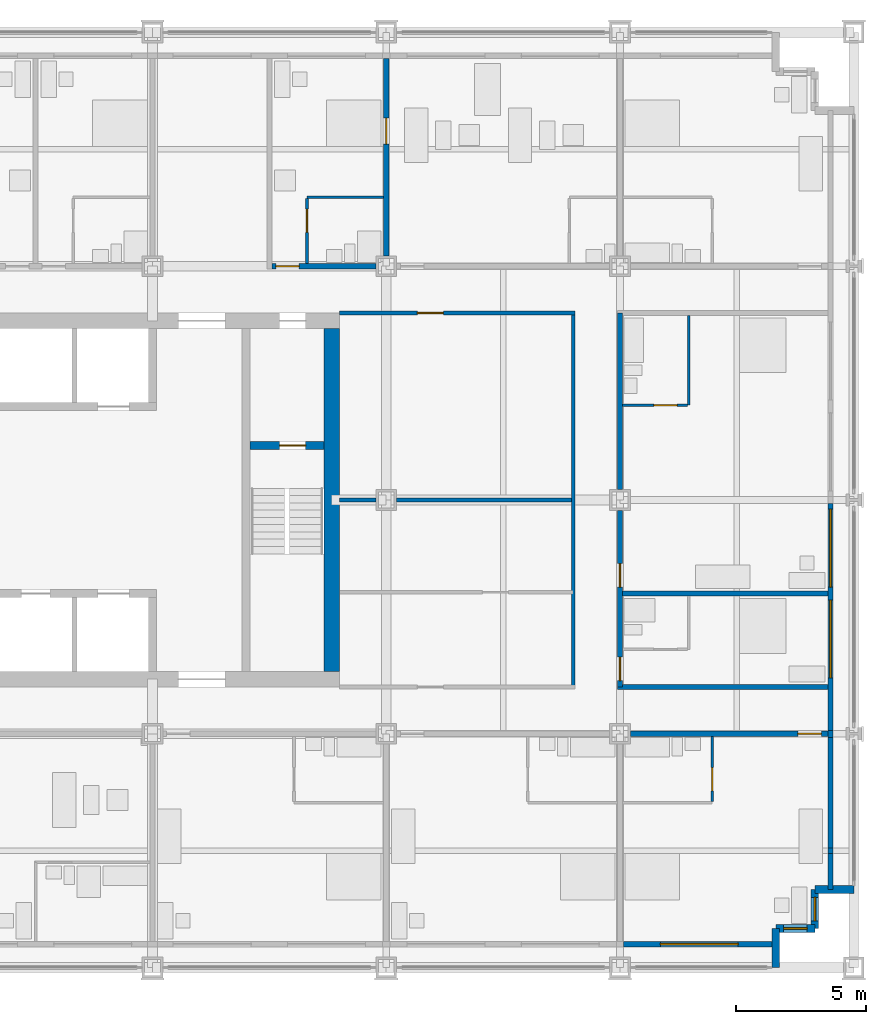
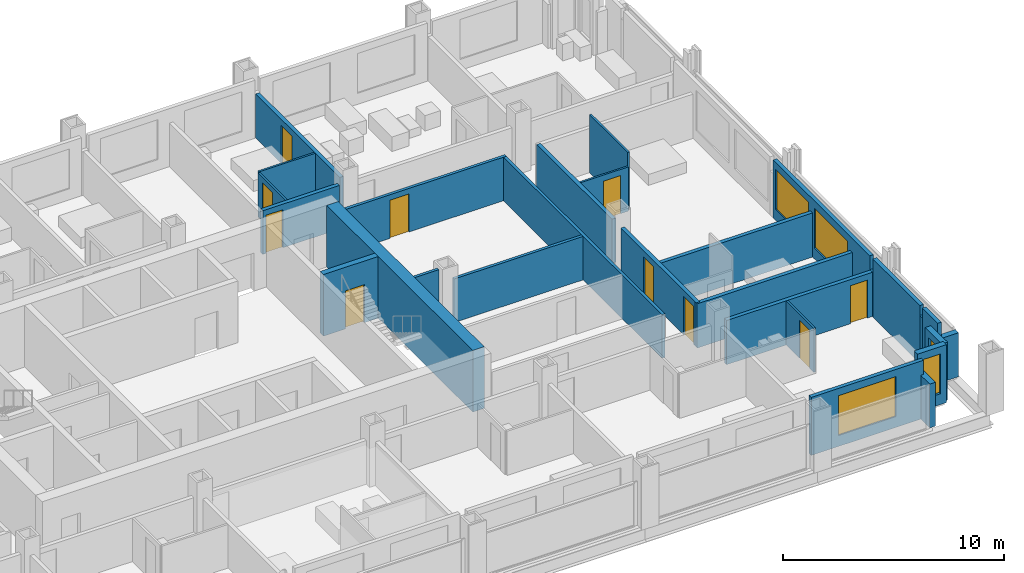
# One storey, part 13 of 18: 28 walls, 10 doors, 5 windows, 15 openings.
"""IFC4 building model written with IfcOpenShell, lengths in metres."""

from ifc_helpers import new_model, si_unit, direction, frame, frame_2d, origin, place, context, subcontext, project, spatial, rectangle, extrude, material, layer, layer_set, type_object, element, fill, save


model = new_model("IFC4")

# Units and contexts
model_context = context("Model", 3, precision=1e-05, world=origin(), true_north=direction((0.0, 1.0)))
body_context = subcontext(model_context, "Body", "Model", "MODEL_VIEW")
ifc_project = project(units=[si_unit("LENGTHUNIT", "METRE"), si_unit("AREAUNIT", "SQUARE_METRE"), si_unit("VOLUMEUNIT", "CUBIC_METRE"), si_unit("PLANEANGLEUNIT", "RADIAN"), si_unit("MASSUNIT", "GRAM", prefix="KILO")], contexts=[model_context])

# Site, building, storey
site_placement = place(None, origin())
site = spatial("IfcSite", under=ifc_project, at=site_placement, CompositionType="ELEMENT")
building_placement = place(site_placement, origin())
building = spatial("IfcBuilding", under=site, at=building_placement, Name="Loomwork Tower", CompositionType="ELEMENT")
storey_placement = place(building_placement, frame((0.0, 0.0, 48.39990234375)))
storey = spatial("IfcBuildingStorey", under=building, at=storey_placement, Name="L11", CompositionType="ELEMENT", Elevation=48.39990234375)

# Wall, opening, door
ifc_material_1 = material(Name="Concrete 14000 psi (97 MPa)", Category="concrete")
ifc_layer_1 = layer(ifc_material_1, 0.300048828125)
ifc_layer_set_1 = layer_set([ifc_layer_1], Name="Core shear wall 300")
wall_type_1 = type_object("IfcWallType", Name="Core shear wall 300", PredefinedType="SHEAR", material=ifc_layer_set_1)
wall_1_placement = place(storey_placement, frame((30.75, 20.10009765625, 0.0), z_axis=(0.0, 0.0, 1.0), x_axis=(1.0, 0.0, 0.0)))
wall_1 = element("IfcWall", 1, at=wall_1_placement, inside=storey, type_object=wall_type_1, Name="Stair B north wall L11", PredefinedType="SHEAR", context=body_context, shape_type="SweptSolid", body=[
    extrude(rectangle(XDim=2.85009765625, YDim=0.300048828125, at=frame_2d((1.425048828125, 0.0))), origin(), (0.0, 0.0, 1.0), 3.400146484375),
])
opening_1_placement = place(wall_1_placement, frame((1.14990234375, 0.0, 0.0)))
opening_1 = element("IfcOpeningElement", 2, at=opening_1_placement, cuts=wall_1, Name="Opening D4", PredefinedType="OPENING", context=body_context, shape_type="SweptSolid", body=[
    extrude(rectangle(XDim=1.0, YDim=2.10009765625, at=frame_2d((0.5, 1.050048828125))), frame((0.0, 0.159912109375, 0.0), z_axis=(0.0, -1.0, 0.0), x_axis=(1.0, 0.0, 0.0)), (0.0, 0.0, 1.0), 0.320068359375),
])
ifc_material_2 = material(Name="Hollow metal door and frame")
door_type_1 = type_object("IfcDoorType", Name="Stair door 1000", OperationType="SINGLE_SWING_RIGHT", PredefinedType="DOOR", material=ifc_material_2)
door_1_placement = place(opening_1_placement, frame((1.0, 0.0, 0.0), z_axis=(0.0, 0.0, 1.0), x_axis=(-1.0, 0.0, 0.0)))
door_1 = element("IfcDoor", 3, at=door_1_placement, inside=storey, type_object=door_type_1, Name="Stair B door", OperationType="SINGLE_SWING_LEFT", OverallHeight=2.10009765625, OverallWidth=1.0, PredefinedType="DOOR", context=body_context, shape_type="SweptSolid", body=[
    extrude(rectangle(XDim=1.0, YDim=2.10009765625, at=frame_2d((0.5, 1.050048828125))), frame((0.0, 0.02490234375, 0.0), z_axis=(0.0, -1.0, 0.0), x_axis=(1.0, 0.0, 0.0)), (0.0, 0.0, 1.0), 0.050048828125),
])
fill(opening_1, door_1)

# Wall
ifc_material_3 = material(Name="Concrete 14000 psi (97 MPa)", Category="concrete")
ifc_layer_2 = layer(ifc_material_3, 0.60009765625)
ifc_layer_set_2 = layer_set([ifc_layer_2], Name="Core shear wall 600")
wall_type_2 = type_object("IfcWallType", Name="Core shear wall 600", PredefinedType="SHEAR", material=ifc_layer_set_2)
wall_2_placement = place(storey_placement, frame((33.89990234375, 11.39990234375, 0.0), z_axis=(0.0, 0.0, 1.0), x_axis=(0.0, 1.0, 0.0)))
element("IfcWall", 4, at=wall_2_placement, inside=storey, type_object=wall_type_2, Name="Core wall east L11", PredefinedType="SHEAR", context=body_context, shape_type="SweptSolid", body=[
    extrude(rectangle(XDim=13.2001953125, YDim=0.60009765625, at=frame_2d((6.60009765625, 0.0))), origin(), (0.0, 0.0, 1.0), 3.400146484375),
])

# Wall, opening, door
ifc_material_4 = material(Name="Gypsum board on steel studs, one-hour", Category="steel")
ifc_layer_3 = layer(ifc_material_4, 0.199951171875)
ifc_layer_set_3 = layer_set([ifc_layer_3], Name="Corridor wall 200")
wall_type_3 = type_object("IfcWallType", Name="Corridor wall 200", PredefinedType="PARTITIONING", material=ifc_layer_set_3)
wall_3_placement = place(storey_placement, frame((45.39990234375, 9.0, 0.0), z_axis=(0.0, 0.0, 1.0), x_axis=(1.0, 0.0, 0.0)))
wall_3 = element("IfcWall", 5, at=wall_3_placement, inside=storey, type_object=wall_type_3, Name="South corridor wall 6", PredefinedType="PARTITIONING", context=body_context, shape_type="SweptSolid", body=[
    extrude(rectangle(XDim=7.60009765625, YDim=0.199951171875, at=frame_2d((3.800048828125, 0.0))), origin(), (0.0, 0.0, 1.0), 2.43798828125),
])
opening_2_placement = place(wall_3_placement, frame((6.449951171875, 0.0, 0.0)))
opening_2 = element("IfcOpeningElement", 6, at=opening_2_placement, cuts=wall_3, Name="Opening D1", PredefinedType="OPENING", context=body_context, shape_type="SweptSolid", body=[
    extrude(rectangle(XDim=0.89990234375, YDim=2.10009765625, at=frame_2d((0.449951171875, 1.050048828125))), frame((0.0, 0.10986328125, 0.0), z_axis=(0.0, -1.0, 0.0), x_axis=(1.0, 0.0, 0.0)), (0.0, 0.0, 1.0), 0.219970703125),
])
ifc_material_5 = material(Name="Hollow metal door and frame")
door_type_2 = type_object("IfcDoorType", Name="Guest room entry door 900", OperationType="SINGLE_SWING_LEFT", PredefinedType="DOOR", material=ifc_material_5)
door_2_placement = place(opening_2_placement, frame((0.89990234375, 0.0, 0.0), z_axis=(0.0, 0.0, 1.0), x_axis=(-1.0, 0.0, 0.0)))
door_2 = element("IfcDoor", 7, at=door_2_placement, inside=storey, type_object=door_type_2, Name="Guest room entry door L11 6", OperationType="SINGLE_SWING_LEFT", OverallHeight=2.10009765625, OverallWidth=0.89990234375, PredefinedType="DOOR", context=body_context, shape_type="SweptSolid", body=[
    extrude(rectangle(XDim=0.89990234375, YDim=2.10009765625, at=frame_2d((0.449951171875, 1.050048828125))), frame((0.0, 0.02490234375, 0.0), z_axis=(0.0, -1.0, 0.0), x_axis=(1.0, 0.0, 0.0)), (0.0, 0.0, 1.0), 0.050048828125),
])
fill(opening_2, door_2)

wall_4_placement = place(storey_placement, frame((31.60009765625, 27.0, 0.0), z_axis=(0.0, 0.0, 1.0), x_axis=(1.0, 0.0, 0.0)))
wall_4 = element("IfcWall", 8, at=wall_4_placement, inside=storey, type_object=wall_type_3, Name="North corridor wall 4", PredefinedType="PARTITIONING", context=body_context, shape_type="SweptSolid", body=[
    extrude(rectangle(XDim=4.0, YDim=0.199951171875, at=frame_2d((2.0, 0.0))), origin(), (0.0, 0.0, 1.0), 2.405029296875),
])
opening_3_placement = place(wall_4_placement, frame((0.14990234375, 0.0, 0.0)))
opening_3 = element("IfcOpeningElement", 9, at=opening_3_placement, cuts=wall_4, Name="Opening D1", PredefinedType="OPENING", context=body_context, shape_type="SweptSolid", body=[
    extrude(rectangle(XDim=0.89990234375, YDim=2.10009765625, at=frame_2d((0.449951171875, 1.050048828125))), frame((0.0, 0.10986328125, 0.0), z_axis=(0.0, -1.0, 0.0), x_axis=(1.0, 0.0, 0.0)), (0.0, 0.0, 1.0), 0.219970703125),
])
door_3_placement = place(opening_3_placement, origin())
door_3 = element("IfcDoor", 10, at=door_3_placement, inside=storey, type_object=door_type_2, Name="Guest room entry door L11 11", OperationType="SINGLE_SWING_LEFT", OverallHeight=2.10009765625, OverallWidth=0.89990234375, PredefinedType="DOOR", context=body_context, shape_type="SweptSolid", body=[
    extrude(rectangle(XDim=0.89990234375, YDim=2.10009765625, at=frame_2d((0.449951171875, 1.050048828125))), frame((0.0, 0.02490234375, 0.0), z_axis=(0.0, -1.0, 0.0), x_axis=(1.0, 0.0, 0.0)), (0.0, 0.0, 1.0), 0.050048828125),
])
fill(opening_3, door_3)

# Wall, openings, doors
wall_5_placement = place(storey_placement, frame((45.0, 10.800048828125, 0.0), z_axis=(0.0, 0.0, 1.0), x_axis=(0.0, 1.0, 0.0)))
wall_5 = element("IfcWall", 11, at=wall_5_placement, inside=storey, type_object=wall_type_3, Name="East corridor wall 1", PredefinedType="PARTITIONING", context=body_context, shape_type="SweptSolid", body=[
    extrude(rectangle(XDim=6.800048828125, YDim=0.199951171875, at=frame_2d((3.39990234375, 0.0))), origin(), (0.0, 0.0, 1.0), 2.43798828125),
])
opening_4_placement = place(wall_5_placement, frame((0.25, 0.0, 0.0)))
opening_4 = element("IfcOpeningElement", 12, at=opening_4_placement, cuts=wall_5, Name="Opening D1", PredefinedType="OPENING", context=body_context, shape_type="SweptSolid", body=[
    extrude(rectangle(XDim=0.89990234375, YDim=2.10009765625, at=frame_2d((0.449951171875, 1.050048828125))), frame((0.0, 0.10986328125, 0.0), z_axis=(0.0, -1.0, 0.0), x_axis=(1.0, 0.0, 0.0)), (0.0, 0.0, 1.0), 0.219970703125),
])
opening_5_placement = place(wall_5_placement, frame((3.85009765625, 0.0, 0.0)))
opening_5 = element("IfcOpeningElement", 13, at=opening_5_placement, cuts=wall_5, Name="Opening D1", PredefinedType="OPENING", context=body_context, shape_type="SweptSolid", body=[
    extrude(rectangle(XDim=0.89990234375, YDim=2.10009765625, at=frame_2d((0.449951171875, 1.050048828125))), frame((0.0, 0.10986328125, 0.0), z_axis=(0.0, -1.0, 0.0), x_axis=(1.0, 0.0, 0.0)), (0.0, 0.0, 1.0), 0.219970703125),
])
door_4_placement = place(opening_4_placement, frame((0.89990234375, 0.0, 0.0), z_axis=(0.0, 0.0, 1.0), x_axis=(-1.0, 0.0, 0.0)))
door_4 = element("IfcDoor", 14, at=door_4_placement, inside=storey, type_object=door_type_2, Name="Guest room entry door L11 16", OperationType="SINGLE_SWING_RIGHT", OverallHeight=2.10009765625, OverallWidth=0.89990234375, PredefinedType="DOOR", context=body_context, shape_type="SweptSolid", body=[
    extrude(rectangle(XDim=0.89990234375, YDim=2.10009765625, at=frame_2d((0.449951171875, 1.050048828125))), frame((0.0, 0.02490234375, 0.0), z_axis=(0.0, -1.0, 0.0), x_axis=(1.0, 0.0, 0.0)), (0.0, 0.0, 1.0), 0.050048828125),
])
fill(opening_4, door_4)
door_5_placement = place(opening_5_placement, frame((0.89990234375, 0.0, 0.0), z_axis=(0.0, 0.0, 1.0), x_axis=(-1.0, 0.0, 0.0)))
door_5 = element("IfcDoor", 15, at=door_5_placement, inside=storey, type_object=door_type_2, Name="Guest room entry door L11 17", OperationType="SINGLE_SWING_RIGHT", OverallHeight=2.10009765625, OverallWidth=0.89990234375, PredefinedType="DOOR", context=body_context, shape_type="SweptSolid", body=[
    extrude(rectangle(XDim=0.89990234375, YDim=2.10009765625, at=frame_2d((0.449951171875, 1.050048828125))), frame((0.0, 0.02490234375, 0.0), z_axis=(0.0, -1.0, 0.0), x_axis=(1.0, 0.0, 0.0)), (0.0, 0.0, 1.0), 0.050048828125),
])
fill(opening_5, door_5)

# Walls
wall_6_placement = place(storey_placement, frame((45.0, 18.39990234375, 0.0), z_axis=(0.0, 0.0, 1.0), x_axis=(0.0, 1.0, 0.0)))
element("IfcWall", 16, at=wall_6_placement, inside=storey, type_object=wall_type_3, Name="East corridor wall 2", PredefinedType="PARTITIONING", context=body_context, shape_type="SweptSolid", body=[
    extrude(rectangle(XDim=6.800048828125, YDim=0.199951171875, at=frame_2d((3.39990234375, 0.0))), origin(), (0.0, 0.0, 1.0), 2.43798828125),
])
wall_7_placement = place(storey_placement, frame((44.89990234375, 10.800048828125, 0.0), z_axis=(0.0, 0.0, 1.0), x_axis=(1.0, 0.0, 0.0)))
element("IfcWall", 17, at=wall_7_placement, inside=storey, type_object=wall_type_3, Name="East band end wall S", PredefinedType="PARTITIONING", context=body_context, shape_type="SweptSolid", body=[
    extrude(rectangle(XDim=8.10009765625, YDim=0.199951171875, at=frame_2d((4.050048828125, 0.0))), origin(), (0.0, 0.0, 1.0), 2.43798828125),
])

# Wall, opening, door
ifc_material_6 = material(Name="Cement board on steel studs", Category="steel")
ifc_layer_4 = layer(ifc_material_6, 0.10009765625)
ifc_layer_set_4 = layer_set([ifc_layer_4], Name="En-suite partition 100")
wall_type_4 = type_object("IfcWallType", Name="En-suite partition 100", PredefinedType="PARTITIONING", material=ifc_layer_set_4)
wall_8_placement = place(storey_placement, frame((48.550048828125, 8.89990234375, 0.0), z_axis=(0.0, 0.0, 1.0), x_axis=(0.0, -1.0, 0.0)))
wall_8 = element("IfcWall", 18, at=wall_8_placement, inside=storey, type_object=wall_type_4, Name="En-suite side wall L11 room 6", PredefinedType="PARTITIONING", context=body_context, shape_type="SweptSolid", body=[
    extrude(rectangle(XDim=2.5, YDim=0.10009765625, at=frame_2d((1.25, 0.0))), origin(), (0.0, 0.0, 1.0), 2.43798828125),
])
opening_6_placement = place(wall_8_placement, frame((1.199951171875, 0.0, 0.0)))
opening_6 = element("IfcOpeningElement", 19, at=opening_6_placement, cuts=wall_8, Name="Opening D2", PredefinedType="OPENING", context=body_context, shape_type="SweptSolid", body=[
    extrude(rectangle(XDim=0.89990234375, YDim=2.10009765625, at=frame_2d((0.449951171875, 1.050048828125))), frame((0.0, 0.06005859375, 0.0), z_axis=(0.0, -1.0, 0.0), x_axis=(1.0, 0.0, 0.0)), (0.0, 0.0, 1.0), 0.1201171875),
])
ifc_material_7 = material(Name="Hollow metal door and frame")
door_type_3 = type_object("IfcDoorType", Name="En-suite door 900", OperationType="SINGLE_SWING_LEFT", PredefinedType="DOOR", material=ifc_material_7)
door_6_placement = place(opening_6_placement, frame((0.89990234375, 0.0, 0.0), z_axis=(0.0, 0.0, 1.0), x_axis=(-1.0, 0.0, 0.0)))
door_6 = element("IfcDoor", 20, at=door_6_placement, inside=storey, type_object=door_type_3, Name="En-suite door room 6", OperationType="SINGLE_SWING_LEFT", OverallHeight=2.10009765625, OverallWidth=0.89990234375, PredefinedType="DOOR", context=body_context, shape_type="SweptSolid", body=[
    extrude(rectangle(XDim=0.89990234375, YDim=2.10009765625, at=frame_2d((0.449951171875, 1.050048828125))), frame((0.0, 0.02490234375, 0.0), z_axis=(0.0, -1.0, 0.0), x_axis=(1.0, 0.0, 0.0)), (0.0, 0.0, 1.0), 0.050048828125),
])
fill(opening_6, door_6)

# Wall
wall_9_placement = place(storey_placement, frame((32.949951171875, 29.64990234375, 0.0), z_axis=(0.0, 0.0, 1.0), x_axis=(1.0, 0.0, 0.0)))
element("IfcWall", 21, at=wall_9_placement, inside=storey, type_object=wall_type_4, Name="En-suite wall L11 room 11", PredefinedType="PARTITIONING", context=body_context, shape_type="SweptSolid", body=[
    extrude(rectangle(XDim=2.949951171875, YDim=0.10009765625, at=frame_2d((1.47509765625, 0.0))), origin(), (0.0, 0.0, 1.0), 2.43798828125),
])

# Wall, opening, door
wall_10_placement = place(storey_placement, frame((32.949951171875, 27.10009765625, 0.0), z_axis=(0.0, 0.0, 1.0), x_axis=(0.0, 1.0, 0.0)))
wall_10 = element("IfcWall", 22, at=wall_10_placement, inside=storey, type_object=wall_type_4, Name="En-suite side wall L11 room 11", PredefinedType="PARTITIONING", context=body_context, shape_type="SweptSolid", body=[
    extrude(rectangle(XDim=2.5, YDim=0.10009765625, at=frame_2d((1.25, 0.0))), origin(), (0.0, 0.0, 1.0), 2.404052734375),
])
opening_7_placement = place(wall_10_placement, frame((1.199951171875, 0.0, 0.0)))
opening_7 = element("IfcOpeningElement", 23, at=opening_7_placement, cuts=wall_10, Name="Opening D2", PredefinedType="OPENING", context=body_context, shape_type="SweptSolid", body=[
    extrude(rectangle(XDim=0.89990234375, YDim=2.10009765625, at=frame_2d((0.449951171875, 1.050048828125))), frame((0.0, 0.06005859375, 0.0), z_axis=(0.0, -1.0, 0.0), x_axis=(1.0, 0.0, 0.0)), (0.0, 0.0, 1.0), 0.1201171875),
])
door_7_placement = place(opening_7_placement, frame((0.89990234375, 0.0, 0.0), z_axis=(0.0, 0.0, 1.0), x_axis=(-1.0, 0.0, 0.0)))
door_7 = element("IfcDoor", 24, at=door_7_placement, inside=storey, type_object=door_type_3, Name="En-suite door room 11", OperationType="SINGLE_SWING_LEFT", OverallHeight=2.10009765625, OverallWidth=0.89990234375, PredefinedType="DOOR", context=body_context, shape_type="SweptSolid", body=[
    extrude(rectangle(XDim=0.89990234375, YDim=2.10009765625, at=frame_2d((0.449951171875, 1.050048828125))), frame((0.0, 0.02490234375, 0.0), z_axis=(0.0, -1.0, 0.0), x_axis=(1.0, 0.0, 0.0)), (0.0, 0.0, 1.0), 0.050048828125),
])
fill(opening_7, door_7)

# Wall
wall_11_placement = place(storey_placement, frame((47.64990234375, 21.64990234375, 0.0), z_axis=(0.0, 0.0, 1.0), x_axis=(0.0, 1.0, 0.0)))
element("IfcWall", 25, at=wall_11_placement, inside=storey, type_object=wall_type_4, Name="En-suite wall L11 room 17", PredefinedType="PARTITIONING", context=body_context, shape_type="SweptSolid", body=[
    extrude(rectangle(XDim=3.4501953125, YDim=0.10009765625, at=frame_2d((1.72509765625, 0.0))), origin(), (0.0, 0.0, 1.0), 3.2001953125),
])

# Wall, opening, door
wall_12_placement = place(storey_placement, frame((45.10009765625, 21.64990234375, 0.0), z_axis=(0.0, 0.0, 1.0), x_axis=(1.0, 0.0, 0.0)))
wall_12 = element("IfcWall", 26, at=wall_12_placement, inside=storey, type_object=wall_type_4, Name="En-suite side wall L11 room 17", PredefinedType="PARTITIONING", context=body_context, shape_type="SweptSolid", body=[
    extrude(rectangle(XDim=2.5, YDim=0.10009765625, at=frame_2d((1.25, 0.0))), origin(), (0.0, 0.0, 1.0), 2.43798828125),
])
opening_8_placement = place(wall_12_placement, frame((1.199951171875, 0.0, 0.0)))
opening_8 = element("IfcOpeningElement", 27, at=opening_8_placement, cuts=wall_12, Name="Opening D2", PredefinedType="OPENING", context=body_context, shape_type="SweptSolid", body=[
    extrude(rectangle(XDim=0.89990234375, YDim=2.10009765625, at=frame_2d((0.449951171875, 1.050048828125))), frame((0.0, 0.06005859375, 0.0), z_axis=(0.0, -1.0, 0.0), x_axis=(1.0, 0.0, 0.0)), (0.0, 0.0, 1.0), 0.1201171875),
])
door_8_placement = place(opening_8_placement, origin())
door_8 = element("IfcDoor", 28, at=door_8_placement, inside=storey, type_object=door_type_3, Name="En-suite door room 17", OperationType="SINGLE_SWING_RIGHT", OverallHeight=2.10009765625, OverallWidth=0.89990234375, PredefinedType="DOOR", context=body_context, shape_type="SweptSolid", body=[
    extrude(rectangle(XDim=0.89990234375, YDim=2.10009765625, at=frame_2d((0.449951171875, 1.050048828125))), frame((0.0, 0.02490234375, 0.0), z_axis=(0.0, -1.0, 0.0), x_axis=(1.0, 0.0, 0.0)), (0.0, 0.0, 1.0), 0.050048828125),
])
fill(opening_8, door_8)

ifc_material_8 = material(Name="Gypsum board on steel studs, acoustic", Category="steel")
ifc_layer_5 = layer(ifc_material_8, 0.199951171875)
ifc_layer_set_5 = layer_set([ifc_layer_5], Name="Guest room party wall 200")
wall_type_5 = type_object("IfcWallType", Name="Guest room party wall 200", PredefinedType="PARTITIONING", material=ifc_layer_set_5)
wall_13_placement = place(storey_placement, frame((36.0, 27.39990234375, 0.0), z_axis=(0.0, 0.0, 1.0), x_axis=(0.0, 1.0, 0.0)))
wall_13 = element("IfcWall", 29, at=wall_13_placement, inside=storey, type_object=wall_type_5, Name="Guest room party wall N 36", PredefinedType="PARTITIONING", context=body_context, shape_type="SweptSolid", body=[
    extrude(rectangle(XDim=7.60009765625, YDim=0.199951171875, at=frame_2d((3.800048828125, 0.0))), origin(), (0.0, 0.0, 1.0), 2.43798828125),
])
opening_9_placement = place(wall_13_placement, frame((4.300048828125, 0.0, 0.0)))
opening_9 = element("IfcOpeningElement", 30, at=opening_9_placement, cuts=wall_13, Name="Opening D7", PredefinedType="OPENING", context=body_context, shape_type="SweptSolid", body=[
    extrude(rectangle(XDim=1.0, YDim=2.10009765625, at=frame_2d((0.5, 1.050048828125))), frame((0.0, 0.10986328125, 0.0), z_axis=(0.0, -1.0, 0.0), x_axis=(1.0, 0.0, 0.0)), (0.0, 0.0, 1.0), 0.219970703125),
])
ifc_material_9 = material(Name="Hollow metal door and frame")
door_type_4 = type_object("IfcDoorType", Name="Room door 1000", OperationType="SINGLE_SWING_LEFT", PredefinedType="DOOR", material=ifc_material_9)
door_9_placement = place(opening_9_placement, origin())
door_9 = element("IfcDoor", 31, at=door_9_placement, inside=storey, type_object=door_type_4, Name="Suite connecting door L11 N 36", OperationType="SINGLE_SWING_LEFT", OverallHeight=2.10009765625, OverallWidth=1.0, PredefinedType="DOOR", context=body_context, shape_type="SweptSolid", body=[
    extrude(rectangle(XDim=1.0, YDim=2.10009765625, at=frame_2d((0.5, 1.050048828125))), frame((0.0, 0.02490234375, 0.0), z_axis=(0.0, -1.0, 0.0), x_axis=(1.0, 0.0, 0.0)), (0.0, 0.0, 1.0), 0.050048828125),
])
fill(opening_9, door_9)

# Walls
wall_14_placement = place(storey_placement, frame((45.10009765625, 14.39990234375, 0.0), z_axis=(0.0, 0.0, 1.0), x_axis=(1.0, 0.0, 0.0)))
element("IfcWall", 32, at=wall_14_placement, inside=storey, type_object=wall_type_5, Name="Guest room party wall E 14.4", PredefinedType="PARTITIONING", context=body_context, shape_type="SweptSolid", body=[
    extrude(rectangle(XDim=7.89990234375, YDim=0.199951171875, at=frame_2d((3.949951171875, 0.0))), origin(), (0.0, 0.0, 1.0), 2.43798828125),
])
ifc_material_10 = material(Name="Insulated steel stud wall with gypsum lining", Category="steel")
ifc_layer_6 = layer(ifc_material_10, 0.199951171875)
ifc_layer_set_6 = layer_set([ifc_layer_6], Name="Inner skin wall 200")
wall_type_6 = type_object("IfcWallType", Name="Inner skin wall 200", PredefinedType="SOLIDWALL", material=ifc_layer_set_6)
wall_15_placement = place(storey_placement, frame((53.10009765625, 3.0, 0.0), z_axis=(0.0, 0.0, 1.0), x_axis=(0.0, 1.0, 0.0)))
element("IfcWall", 33, at=wall_15_placement, inside=storey, type_object=wall_type_6, Name="Inner skin wall E", PredefinedType="SOLIDWALL", context=body_context, shape_type="SweptSolid", body=[
    extrude(rectangle(XDim=1.392578125, YDim=0.199951171875, at=frame_2d((0.6962890625, 0.0))), origin(), (0.0, 0.0, 1.0), 3.2001953125),
])

# Wall, opening, window
wall_16_placement = place(storey_placement, frame((45.135498046875, 0.89990234375, 0.0), z_axis=(0.0, 0.0, 1.0), x_axis=(1.0, 0.0, 0.0)))
wall_16 = element("IfcWall", 34, at=wall_16_placement, inside=storey, type_object=wall_type_6, Name="Inner skin wall S bay 11", PredefinedType="SOLIDWALL", context=body_context, shape_type="SweptSolid", body=[
    extrude(rectangle(XDim=5.864501953125, YDim=0.199951171875, at=frame_2d((2.93212890625, 0.0))), origin(), (0.0, 0.0, 1.0), 3.2001953125),
])
opening_10_placement = place(wall_16_placement, frame((1.41455078125, 0.0, 0.60009765625)))
opening_10 = element("IfcOpeningElement", 35, at=opening_10_placement, cuts=wall_16, Name="Opening CH1", PredefinedType="OPENING", context=body_context, shape_type="SweptSolid", body=[
    extrude(rectangle(XDim=3.0, YDim=2.199951171875, at=frame_2d((1.5, 1.10009765625))), frame((0.0, 0.10986328125, 0.0), z_axis=(0.0, -1.0, 0.0), x_axis=(1.0, 0.0, 0.0)), (0.0, 0.0, 1.0), 0.219970703125),
])
ifc_material_11 = material(Name="Aluminium frame with clear insulated glass", Category="aluminium")
window_type_1 = type_object("IfcWindowType", Name="Chicago window 3000", PartitioningType="TRIPLE_PANEL_VERTICAL", PredefinedType="WINDOW", material=ifc_material_11)
window_1_placement = place(opening_10_placement, origin())
window_1 = element("IfcWindow", 36, at=window_1_placement, inside=storey, type_object=window_type_1, Name="Chicago window L11 bay 6", OverallHeight=2.199951171875, OverallWidth=3.0, PartitioningType="TRIPLE_PANEL_VERTICAL", PredefinedType="WINDOW", context=body_context, shape_type="SweptSolid", body=[
    extrude(rectangle(XDim=3.0, YDim=2.199951171875, at=frame_2d((1.5, 1.10009765625))), frame((0.0, 0.030029296875, 0.0), z_axis=(0.0, -1.0, 0.0), x_axis=(1.0, 0.0, 0.0)), (0.0, 0.0, 1.0), 0.06005859375),
])
fill(opening_10, window_1)

# Walls
wall_17_placement = place(storey_placement, frame((53.10009765625, 4.392578125, 0.0), z_axis=(0.0, 0.0, 1.0), x_axis=(0.0, 1.0, 0.0)))
element("IfcWall", 37, at=wall_17_placement, inside=storey, type_object=wall_type_6, Name="Inner skin wall E bay 2", PredefinedType="SOLIDWALL", context=body_context, shape_type="SweptSolid", body=[
    extrude(rectangle(XDim=0.21484375, YDim=0.199951171875, at=frame_2d((0.107421875, 0.0))), origin(), (0.0, 0.0, 1.0), 2.6611328125),
])
wall_18_placement = place(storey_placement, frame((53.10009765625, 4.607421875, 0.0), z_axis=(0.0, 0.0, 1.0), x_axis=(0.0, 1.0, 0.0)))
element("IfcWall", 38, at=wall_18_placement, inside=storey, type_object=wall_type_6, Name="Inner skin wall E bay 3", PredefinedType="SOLIDWALL", context=body_context, shape_type="SweptSolid", body=[
    extrude(rectangle(XDim=4.25732421875, YDim=0.199951171875, at=frame_2d((2.128662109375, 0.0))), origin(), (0.0, 0.0, 1.0), 3.2001953125),
])
wall_19_placement = place(storey_placement, frame((53.10009765625, 8.86474609375, 0.0), z_axis=(0.0, 0.0, 1.0), x_axis=(0.0, 1.0, 0.0)))
element("IfcWall", 39, at=wall_19_placement, inside=storey, type_object=wall_type_6, Name="Inner skin wall E bay 4", PredefinedType="SOLIDWALL", context=body_context, shape_type="SweptSolid", body=[
    extrude(rectangle(XDim=0.2705078125, YDim=0.199951171875, at=frame_2d((0.13525390625, 0.0))), origin(), (0.0, 0.0, 1.0), 2.43798828125),
])

# Wall, openings, windows
wall_20_placement = place(storey_placement, frame((53.10009765625, 9.13525390625, 0.0), z_axis=(0.0, 0.0, 1.0), x_axis=(0.0, 1.0, 0.0)))
wall_20 = element("IfcWall", 40, at=wall_20_placement, inside=storey, type_object=wall_type_6, Name="Inner skin wall E bay 5", PredefinedType="SOLIDWALL", context=body_context, shape_type="SweptSolid", body=[
    extrude(rectangle(XDim=8.729248046875, YDim=0.199951171875, at=frame_2d((4.36474609375, 0.0))), origin(), (0.0, 0.0, 1.0), 3.2001953125),
])
opening_11_placement = place(wall_20_placement, frame((2.0146484375, 0.0, 0.60009765625)))
opening_11 = element("IfcOpeningElement", 41, at=opening_11_placement, cuts=wall_20, Name="Opening CH1", PredefinedType="OPENING", context=body_context, shape_type="SweptSolid", body=[
    extrude(rectangle(XDim=3.0, YDim=2.199951171875, at=frame_2d((1.5, 1.10009765625))), frame((0.0, 0.10986328125, 0.0), z_axis=(0.0, -1.0, 0.0), x_axis=(1.0, 0.0, 0.0)), (0.0, 0.0, 1.0), 0.219970703125),
])
opening_12_placement = place(wall_20_placement, frame((5.5146484375, 0.0, 0.60009765625)))
opening_12 = element("IfcOpeningElement", 42, at=opening_12_placement, cuts=wall_20, Name="Opening CH1", PredefinedType="OPENING", context=body_context, shape_type="SweptSolid", body=[
    extrude(rectangle(XDim=3.0, YDim=2.199951171875, at=frame_2d((1.5, 1.10009765625))), frame((0.0, 0.10986328125, 0.0), z_axis=(0.0, -1.0, 0.0), x_axis=(1.0, 0.0, 0.0)), (0.0, 0.0, 1.0), 0.219970703125),
])
window_2_placement = place(opening_11_placement, origin())
window_2 = element("IfcWindow", 43, at=window_2_placement, inside=storey, type_object=window_type_1, Name="Chicago window L11 bay 15", OverallHeight=2.199951171875, OverallWidth=3.0, PartitioningType="TRIPLE_PANEL_VERTICAL", PredefinedType="WINDOW", context=body_context, shape_type="SweptSolid", body=[
    extrude(rectangle(XDim=3.0, YDim=2.199951171875, at=frame_2d((1.5, 1.10009765625))), frame((0.0, 0.030029296875, 0.0), z_axis=(0.0, -1.0, 0.0), x_axis=(1.0, 0.0, 0.0)), (0.0, 0.0, 1.0), 0.06005859375),
])
fill(opening_11, window_2)
window_3_placement = place(opening_12_placement, origin())
window_3 = element("IfcWindow", 44, at=window_3_placement, inside=storey, type_object=window_type_1, Name="Chicago window L11 bay 15", OverallHeight=2.199951171875, OverallWidth=3.0, PartitioningType="TRIPLE_PANEL_VERTICAL", PredefinedType="WINDOW", context=body_context, shape_type="SweptSolid", body=[
    extrude(rectangle(XDim=3.0, YDim=2.199951171875, at=frame_2d((1.5, 1.10009765625))), frame((0.0, 0.030029296875, 0.0), z_axis=(0.0, -1.0, 0.0), x_axis=(1.0, 0.0, 0.0)), (0.0, 0.0, 1.0), 0.06005859375),
])
fill(opening_12, window_3)

# Wall
ifc_material_12 = material(Name="Limestone on concrete masonry", Category="masonry")
ifc_layer_7 = layer(ifc_material_12, 0.300048828125)
ifc_layer_set_7 = layer_set([ifc_layer_7], Name="Limestone corner wall 300")
wall_type_7 = type_object("IfcWallType", Name="Limestone corner wall 300", PredefinedType="SOLIDWALL", material=ifc_layer_set_7)
wall_21_placement = place(storey_placement, frame((51.0, 0.0, 0.0), z_axis=(0.0, 0.0, 1.0), x_axis=(0.0, 1.0, 0.0)))
element("IfcWall", 45, at=wall_21_placement, inside=storey, type_object=wall_type_7, Name="Stone corner wall SE 1", PredefinedType="SOLIDWALL", context=body_context, shape_type="SweptSolid", body=[
    extrude(rectangle(XDim=1.5, YDim=0.300048828125, at=frame_2d((0.75, 0.0))), origin(), (0.0, 0.0, 1.0), 2.420166015625),
])

# Wall, opening, window
wall_22_placement = place(storey_placement, frame((51.0, 1.5, 0.0), z_axis=(0.0, 0.0, 1.0), x_axis=(1.0, 0.0, 0.0)))
wall_22 = element("IfcWall", 46, at=wall_22_placement, inside=storey, type_object=wall_type_7, Name="Stone corner wall SE 2", PredefinedType="SOLIDWALL", context=body_context, shape_type="SweptSolid", body=[
    extrude(rectangle(XDim=1.5, YDim=0.300048828125, at=frame_2d((0.75, 0.0))), origin(), (0.0, 0.0, 1.0), 3.2001953125),
])
opening_13_placement = place(wall_22_placement, frame((0.300048828125, 0.0, 0.60009765625)))
opening_13 = element("IfcOpeningElement", 47, at=opening_13_placement, cuts=wall_22, Name="Opening CH2", PredefinedType="OPENING", context=body_context, shape_type="SweptSolid", body=[
    extrude(rectangle(XDim=0.89990234375, YDim=2.199951171875, at=frame_2d((0.449951171875, 1.10009765625))), frame((0.0, 0.159912109375, 0.0), z_axis=(0.0, -1.0, 0.0), x_axis=(1.0, 0.0, 0.0)), (0.0, 0.0, 1.0), 0.320068359375),
])
ifc_material_13 = material(Name="Aluminium frame with clear insulated glass", Category="aluminium")
window_type_2 = type_object("IfcWindowType", Name="Corner window 900", PartitioningType="SINGLE_PANEL", PredefinedType="WINDOW", material=ifc_material_13)
window_4_placement = place(opening_13_placement, origin())
window_4 = element("IfcWindow", 48, at=window_4_placement, inside=storey, type_object=window_type_2, Name="Corner window SE", OverallHeight=2.199951171875, OverallWidth=0.89990234375, PartitioningType="SINGLE_PANEL", PredefinedType="WINDOW", context=body_context, shape_type="SweptSolid", body=[
    extrude(rectangle(XDim=0.89990234375, YDim=2.199951171875, at=frame_2d((0.449951171875, 1.10009765625))), frame((0.0, 0.030029296875, 0.0), z_axis=(0.0, -1.0, 0.0), x_axis=(1.0, 0.0, 0.0)), (0.0, 0.0, 1.0), 0.06005859375),
])
fill(opening_13, window_4)

wall_23_placement = place(storey_placement, frame((52.5, 1.5, 0.0), z_axis=(0.0, 0.0, 1.0), x_axis=(0.0, 1.0, 0.0)))
wall_23 = element("IfcWall", 49, at=wall_23_placement, inside=storey, type_object=wall_type_7, Name="Stone corner wall SE 3", PredefinedType="SOLIDWALL", context=body_context, shape_type="SweptSolid", body=[
    extrude(rectangle(XDim=1.5, YDim=0.300048828125, at=frame_2d((0.75, 0.0))), origin(), (0.0, 0.0, 1.0), 3.2001953125),
])
opening_14_placement = place(wall_23_placement, frame((0.300048828125, 0.0, 0.60009765625)))
opening_14 = element("IfcOpeningElement", 50, at=opening_14_placement, cuts=wall_23, Name="Opening CH2", PredefinedType="OPENING", context=body_context, shape_type="SweptSolid", body=[
    extrude(rectangle(XDim=0.89990234375, YDim=2.199951171875, at=frame_2d((0.449951171875, 1.10009765625))), frame((0.0, 0.159912109375, 0.0), z_axis=(0.0, -1.0, 0.0), x_axis=(1.0, 0.0, 0.0)), (0.0, 0.0, 1.0), 0.320068359375),
])
window_5_placement = place(opening_14_placement, origin())
window_5 = element("IfcWindow", 51, at=window_5_placement, inside=storey, type_object=window_type_2, Name="Corner window SE", OverallHeight=2.199951171875, OverallWidth=0.89990234375, PartitioningType="SINGLE_PANEL", PredefinedType="WINDOW", context=body_context, shape_type="SweptSolid", body=[
    extrude(rectangle(XDim=0.89990234375, YDim=2.199951171875, at=frame_2d((0.449951171875, 1.10009765625))), frame((0.0, 0.030029296875, 0.0), z_axis=(0.0, -1.0, 0.0), x_axis=(1.0, 0.0, 0.0)), (0.0, 0.0, 1.0), 0.06005859375),
])
fill(opening_14, window_5)

# Wall
wall_24_placement = place(storey_placement, frame((52.5, 3.0, 0.0), z_axis=(0.0, 0.0, 1.0), x_axis=(1.0, 0.0, 0.0)))
element("IfcWall", 52, at=wall_24_placement, inside=storey, type_object=wall_type_7, Name="Stone corner wall SE 4", PredefinedType="SOLIDWALL", context=body_context, shape_type="SweptSolid", body=[
    extrude(rectangle(XDim=1.5, YDim=0.300048828125, at=frame_2d((0.75, 0.0))), origin(), (0.0, 0.0, 1.0), 2.420166015625),
])

# Wall, opening, door
ifc_material_14 = material(Name="Gypsum board on steel studs, one-hour", Category="steel")
ifc_layer_8 = layer(ifc_material_14, 0.14990234375)
ifc_layer_set_8 = layer_set([ifc_layer_8], Name="Service partition 150")
wall_type_8 = type_object("IfcWallType", Name="Service partition 150", PredefinedType="PARTITIONING", material=ifc_layer_set_8)
wall_25_placement = place(storey_placement, frame((34.199951171875, 25.199951171875, 0.0), z_axis=(0.0, 0.0, 1.0), x_axis=(1.0, 0.0, 0.0)))
wall_25 = element("IfcWall", 53, at=wall_25_placement, inside=storey, type_object=wall_type_8, Name="Service block wall N", PredefinedType="PARTITIONING", context=body_context, shape_type="SweptSolid", body=[
    extrude(rectangle(XDim=9.074951171875, YDim=0.14990234375, at=frame_2d((4.53759765625, 0.0))), origin(), (0.0, 0.0, 1.0), 2.404052734375),
])
opening_15_placement = place(wall_25_placement, frame((3.0, 0.0, 0.0)))
opening_15 = element("IfcOpeningElement", 54, at=opening_15_placement, cuts=wall_25, Name="Opening D5", PredefinedType="OPENING", context=body_context, shape_type="SweptSolid", body=[
    extrude(rectangle(XDim=1.0, YDim=2.10009765625, at=frame_2d((0.5, 1.050048828125))), frame((0.0, 0.0849609375, 0.0), z_axis=(0.0, -1.0, 0.0), x_axis=(1.0, 0.0, 0.0)), (0.0, 0.0, 1.0), 0.169921875),
])
ifc_material_15 = material(Name="Hollow metal door and frame")
door_type_5 = type_object("IfcDoorType", Name="Service door 1000", OperationType="SINGLE_SWING_LEFT", PredefinedType="DOOR", material=ifc_material_15)
door_10_placement = place(opening_15_placement, frame((1.0, 0.0, 0.0), z_axis=(0.0, 0.0, 1.0), x_axis=(-1.0, 0.0, 0.0)))
door_10 = element("IfcDoor", 55, at=door_10_placement, inside=storey, type_object=door_type_5, Name="Riser room door", OperationType="SINGLE_SWING_RIGHT", OverallHeight=2.10009765625, OverallWidth=1.0, PredefinedType="DOOR", context=body_context, shape_type="SweptSolid", body=[
    extrude(rectangle(XDim=1.0, YDim=2.10009765625, at=frame_2d((0.5, 1.050048828125))), frame((0.0, 0.02490234375, 0.0), z_axis=(0.0, -1.0, 0.0), x_axis=(1.0, 0.0, 0.0)), (0.0, 0.0, 1.0), 0.050048828125),
])
fill(opening_15, door_10)

# Walls
wall_26_placement = place(storey_placement, frame((43.199951171875, 10.800048828125, 0.0), z_axis=(0.0, 0.0, 1.0), x_axis=(0.0, 1.0, 0.0)))
element("IfcWall", 56, at=wall_26_placement, inside=storey, type_object=wall_type_8, Name="Service block east wall", PredefinedType="PARTITIONING", context=body_context, shape_type="SweptSolid", body=[
    extrude(rectangle(XDim=14.39990234375, YDim=0.14990234375, at=frame_2d((7.199951171875, 0.0))), origin(), (0.0, 0.0, 1.0), 2.404052734375),
])
wall_27_placement = place(storey_placement, frame((34.199951171875, 18.0, 0.0), z_axis=(0.0, 0.0, 1.0), x_axis=(1.0, 0.0, 0.0)))
element("IfcWall", 57, at=wall_27_placement, inside=storey, type_object=wall_type_8, Name="Service block divider", PredefinedType="PARTITIONING", context=body_context, shape_type="SweptSolid", body=[
    extrude(rectangle(XDim=1.400146484375, YDim=0.14990234375, at=frame_2d((0.7001953125, 0.0))), origin(), (0.0, 0.0, 1.0), 3.2001953125),
])
wall_28_placement = place(storey_placement, frame((36.39990234375, 18.0, 0.0), z_axis=(0.0, 0.0, 1.0), x_axis=(1.0, 0.0, 0.0)))
element("IfcWall", 58, at=wall_28_placement, inside=storey, type_object=wall_type_8, Name="Service block divider", PredefinedType="PARTITIONING", context=body_context, shape_type="SweptSolid", body=[
    extrude(rectangle(XDim=6.72509765625, YDim=0.14990234375, at=frame_2d((3.362548828125, 0.0))), origin(), (0.0, 0.0, 1.0), 2.405029296875),
])

save(model, "model.ifc")
